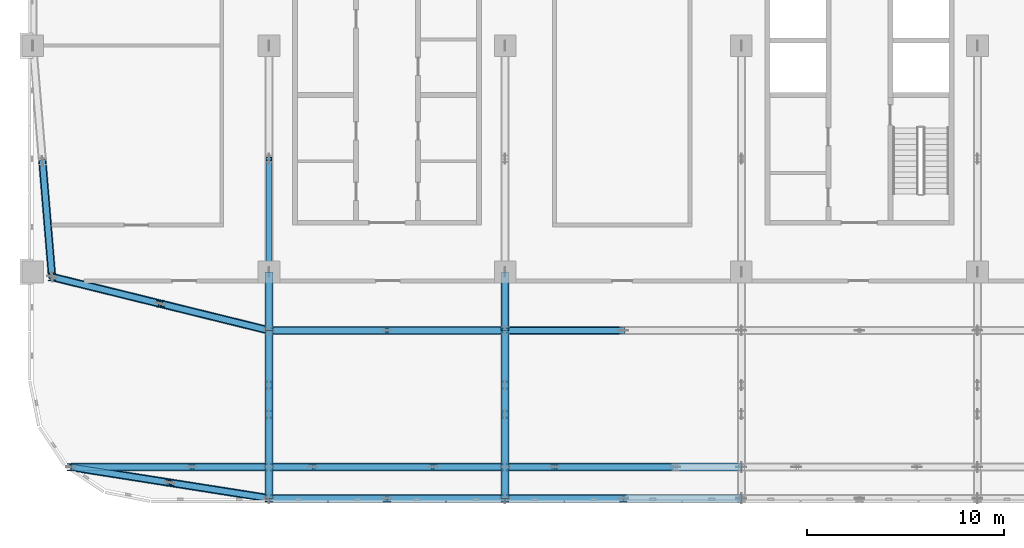
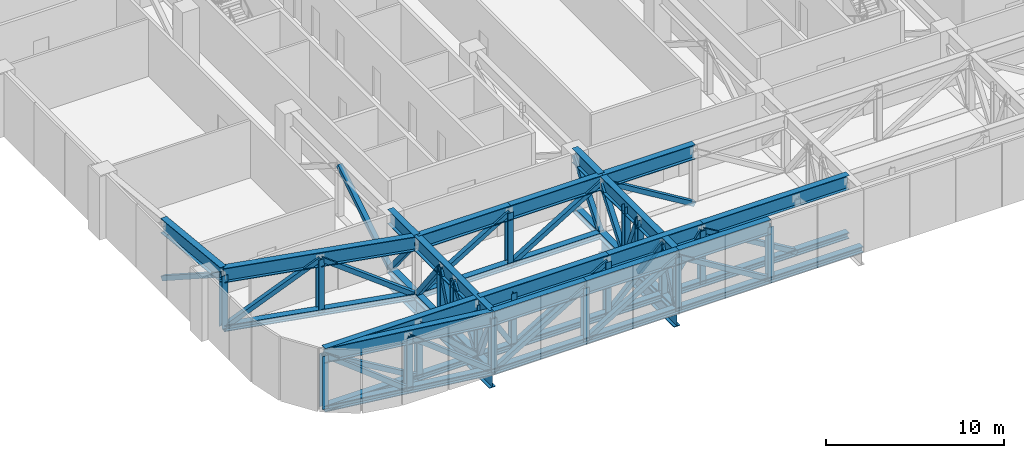
# One storey, part 4 of 28: 77 members, 3 beams.
"""IFC4 building model written with IfcOpenShell, lengths in metres."""

from ifc_helpers import new_model, si_unit, direction, frame, origin, origin_2d, place, context, subcontext, project, spatial, hollow_rectangle, i_section, extrude, material, material_profile, profile_set, type_object, element, save


model = new_model("IFC4")

# Units and contexts
model_context = context("Model", 3, precision=1e-05, world=origin(), true_north=direction((0.0, 1.0)))
body_context = subcontext(model_context, "Body", "Model", "MODEL_VIEW")
ifc_project = project(units=[si_unit("LENGTHUNIT", "METRE"), si_unit("AREAUNIT", "SQUARE_METRE"), si_unit("VOLUMEUNIT", "CUBIC_METRE"), si_unit("PLANEANGLEUNIT", "RADIAN"), si_unit("MASSUNIT", "GRAM", prefix="KILO")], contexts=[model_context])

# Site, building, storey
site_placement = place(None, origin())
site = spatial("IfcSite", under=ifc_project, at=site_placement, CompositionType="ELEMENT")
building_placement = place(site_placement, origin())
building = spatial("IfcBuilding", under=site, at=building_placement, Name="Mahtab Terrace Research Tower", CompositionType="ELEMENT")
storey_placement = place(building_placement, frame((0.0, 0.0, 224.300048828125)))
storey = spatial("IfcBuildingStorey", under=building, at=storey_placement, Name="L54", CompositionType="ELEMENT", Elevation=224.300048828125)

# Members
ifc_material_1 = material(Name="Steel ASTM A500 Gr C", Category="steel")
ifc_material_profile_1 = material_profile(ifc_material_1, hollow_rectangle(XDim=0.3046875, YDim=0.3046875, WallThickness=0.0126953125, at=origin_2d()), Name="HSS12X12X1/2")
ifc_profile_set_1 = profile_set([ifc_material_profile_1], Name="Steel ASTM A500 Gr C")
member_type_1 = type_object("IfcMemberType", Name="HSS 12x12x1/2 brace TD121212", PredefinedType="BRACE", material=ifc_profile_set_1)
member_1_placement = place(storey_placement, frame((-41.510986328125, -5.87890625, -0.18798828125), z_axis=(0.070644222099, -0.847625068445, 0.525871787823), x_axis=(0.996544901991, 0.083055754258, 0.0)))
element("IfcMember", 1, at=member_1_placement, inside=storey, type_object=member_type_1, Name="Transfer truss T6 diagonal 005", PredefinedType="BRACE", context=body_context, shape_type="SweptSolid", body=[
    extrude(hollow_rectangle(XDim=0.3046875, YDim=0.3046875, WallThickness=0.0126953125, at=origin_2d()), origin(), (0.0, 0.0, 1.0), 6.93603515625),
])
member_2_placement = place(storey_placement, frame((-41.02099609375, -11.758056640625, -0.18798828125), z_axis=(0.816785504932, -0.201292081104, 0.540687467043), x_axis=(0.239284885489, 0.970949403201, 0.0)))
element("IfcMember", 2, at=member_2_placement, inside=storey, type_object=member_type_1, Name="Transfer truss T6 diagonal 007", PredefinedType="BRACE", context=body_context, shape_type="SweptSolid", body=[
    extrude(hollow_rectangle(XDim=0.3046875, YDim=0.3046875, WallThickness=0.0126953125, at=origin_2d()), origin(), (0.0, 0.0, 1.0), 6.745849609375),
])
member_3_placement = place(storey_placement, frame((-33.919921875, -21.416015625, -0.18798828125), z_axis=(-0.8598181713, 0.0, 0.510600344989), x_axis=(0.0, -1.0, 0.0)))
element("IfcMember", 3, at=member_3_placement, inside=storey, type_object=member_type_1, Name="Transfer truss T6 diagonal 008", PredefinedType="BRACE", context=body_context, shape_type="SweptSolid", body=[
    extrude(hollow_rectangle(XDim=0.3046875, YDim=0.3046875, WallThickness=0.0126953125, at=origin_2d()), origin(), (0.0, 0.0, 1.0), 7.1435546875),
])
member_4_placement = place(storey_placement, frame((-30.0, -14.472900390625, -0.18798828125), z_axis=(-0.816857471195, 0.201129394626, 0.540639286743), x_axis=(-0.239082692179, -0.970999210247, 0.0)))
element("IfcMember", 4, at=member_4_placement, inside=storey, type_object=member_type_1, Name="Transfer truss T6 diagonal 010", PredefinedType="BRACE", context=body_context, shape_type="SweptSolid", body=[
    extrude(hollow_rectangle(XDim=0.3046875, YDim=0.3046875, WallThickness=0.0126953125, at=origin_2d()), origin(), (0.0, 0.0, 1.0), 6.74658203125),
])
member_5_placement = place(storey_placement, frame((-35.031005859375, -22.2080078125, -0.18798828125), z_axis=(-0.803115323704, 0.126428209351, 0.582255686715), x_axis=(-0.155507156777, -0.987834765632, 0.0)))
element("IfcMember", 5, at=member_5_placement, inside=storey, type_object=member_type_1, Name="Transfer truss T6 diagonal 011", PredefinedType="BRACE", context=body_context, shape_type="SweptSolid", body=[
    extrude(hollow_rectangle(XDim=0.3046875, YDim=0.3046875, WallThickness=0.0126953125, at=origin_2d()), origin(), (0.0, 0.0, 1.0), 6.264404296875),
])
member_6_placement = place(storey_placement, frame((-30.0, -21.416015625, -0.18798828125), z_axis=(-0.732091546272, 0.0, 0.681206259423), x_axis=(0.0, -1.0, 0.0)))
element("IfcMember", 6, at=member_6_placement, inside=storey, type_object=member_type_1, Name="Transfer truss T6 diagonal 012", PredefinedType="BRACE", context=body_context, shape_type="SweptSolid", body=[
    extrude(hollow_rectangle(XDim=0.3046875, YDim=0.3046875, WallThickness=0.0126953125, at=origin_2d()), origin(), (0.0, 0.0, 1.0), 5.3544921875),
])
member_7_placement = place(storey_placement, frame((-30.0, -23.0, -0.18798828125), z_axis=(-0.803115323704, 0.126428209351, 0.582255686715), x_axis=(-0.155507156777, -0.987834765632, 0.0)))
element("IfcMember", 7, at=member_7_placement, inside=storey, type_object=member_type_1, Name="Transfer truss T6 diagonal 013", PredefinedType="BRACE", context=body_context, shape_type="SweptSolid", body=[
    extrude(hollow_rectangle(XDim=0.3046875, YDim=0.3046875, WallThickness=0.0126953125, at=origin_2d()), origin(), (0.0, 0.0, 1.0), 6.264404296875),
])
member_8_placement = place(storey_placement, frame((-30.0, -21.416015625, -0.18798828125), z_axis=(0.0, -0.398330959805, 0.917241760094), x_axis=(1.0, 0.0, 0.0)))
element("IfcMember", 8, at=member_8_placement, inside=storey, type_object=member_type_1, Name="Transfer truss T6 diagonal 014", PredefinedType="BRACE", context=body_context, shape_type="SweptSolid", body=[
    extrude(hollow_rectangle(XDim=0.3046875, YDim=0.3046875, WallThickness=0.0126953125, at=origin_2d()), origin(), (0.0, 0.0, 1.0), 3.9765625),
])
member_9_placement = place(storey_placement, frame((-30.0, -21.416015625, -0.18798828125), z_axis=(0.0, 0.5921000261, 0.805864479359), x_axis=(-1.0, 0.0, 0.0)))
element("IfcMember", 9, at=member_9_placement, inside=storey, type_object=member_type_1, Name="Transfer truss T6 diagonal 015", PredefinedType="BRACE", context=body_context, shape_type="SweptSolid", body=[
    extrude(hollow_rectangle(XDim=0.3046875, YDim=0.3046875, WallThickness=0.0126953125, at=origin_2d()), origin(), (0.0, 0.0, 1.0), 4.526123046875),
])
member_10_placement = place(storey_placement, frame((-27.779052734375, -21.416015625, -0.18798828125), z_axis=(-0.520075711539, 0.0, 0.854120163834), x_axis=(0.0, -1.0, 0.0)))
element("IfcMember", 10, at=member_10_placement, inside=storey, type_object=member_type_1, Name="Transfer truss T6 diagonal 016", PredefinedType="BRACE", context=body_context, shape_type="SweptSolid", body=[
    extrude(hollow_rectangle(XDim=0.3046875, YDim=0.3046875, WallThickness=0.0126953125, at=origin_2d()), origin(), (0.0, 0.0, 1.0), 4.2705078125),
])
member_11_placement = place(storey_placement, frame((-30.0, -18.736083984375, -0.18798828125), z_axis=(0.0, 0.377314608222, 0.926085139943), x_axis=(-1.0, 0.0, 0.0)))
element("IfcMember", 11, at=member_11_placement, inside=storey, type_object=member_type_1, Name="Transfer truss T6 diagonal 017", PredefinedType="BRACE", context=body_context, shape_type="SweptSolid", body=[
    extrude(hollow_rectangle(XDim=0.3046875, YDim=0.3046875, WallThickness=0.0126953125, at=origin_2d()), origin(), (0.0, 0.0, 1.0), 3.9384765625),
])
member_12_placement = place(storey_placement, frame((-30.0, -14.472900390625, -0.18798828125), z_axis=(0.0, -0.605778433587, 0.795633388817), x_axis=(1.0, 0.0, 0.0)))
element("IfcMember", 12, at=member_12_placement, inside=storey, type_object=member_type_1, Name="Transfer truss T6 diagonal 018", PredefinedType="BRACE", context=body_context, shape_type="SweptSolid", body=[
    extrude(hollow_rectangle(XDim=0.3046875, YDim=0.3046875, WallThickness=0.0126953125, at=origin_2d()), origin(), (0.0, 0.0, 1.0), 4.584228515625),
])
member_13_placement = place(storey_placement, frame((-30.0, -14.472900390625, -0.18798828125), z_axis=(0.854496522168, 0.0, 0.519457114306), x_axis=(0.0, 1.0, 0.0)))
element("IfcMember", 13, at=member_13_placement, inside=storey, type_object=member_type_1, Name="Transfer truss T6 diagonal 019", PredefinedType="BRACE", context=body_context, shape_type="SweptSolid", body=[
    extrude(hollow_rectangle(XDim=0.3046875, YDim=0.3046875, WallThickness=0.0126953125, at=origin_2d()), origin(), (0.0, 0.0, 1.0), 7.021728515625),
])
member_14_placement = place(storey_placement, frame((-30.0, -11.5, -0.18798828125), z_axis=(0.0, -0.631787276537, 0.77514181748), x_axis=(1.0, 0.0, 0.0)))
element("IfcMember", 14, at=member_14_placement, inside=storey, type_object=member_type_1, Name="Transfer truss T6 diagonal 020", PredefinedType="BRACE", context=body_context, shape_type="SweptSolid", body=[
    extrude(hollow_rectangle(XDim=0.3046875, YDim=0.3046875, WallThickness=0.0126953125, at=origin_2d()), origin(), (0.0, 0.0, 1.0), 4.70556640625),
])
member_15_placement = place(storey_placement, frame((-30.0, -11.5, -0.18798828125), z_axis=(0.0, 0.844434215401, 0.535659272168), x_axis=(-1.0, 0.0, 0.0)))
element("IfcMember", 15, at=member_15_placement, inside=storey, type_object=member_type_1, Name="Transfer truss T6 diagonal 021", PredefinedType="BRACE", context=body_context, shape_type="SweptSolid", body=[
    extrude(hollow_rectangle(XDim=0.3046875, YDim=0.3046875, WallThickness=0.0126953125, at=origin_2d()), origin(), (0.0, 0.0, 1.0), 6.809326171875),
])
member_16_placement = place(storey_placement, frame((-27.779052734375, -21.416015625, -0.18798828125), z_axis=(0.8598181713, 0.0, 0.510600344989), x_axis=(0.0, 1.0, 0.0)))
element("IfcMember", 16, at=member_16_placement, inside=storey, type_object=member_type_1, Name="Transfer truss T6 diagonal 027", PredefinedType="BRACE", context=body_context, shape_type="SweptSolid", body=[
    extrude(hollow_rectangle(XDim=0.3046875, YDim=0.3046875, WallThickness=0.0126953125, at=origin_2d()), origin(), (0.0, 0.0, 1.0), 7.1435546875),
])
for number, where, z_axis, x_axis, name in (
    (17, (-30.0, -23.0, -0.18798828125), (0.854496522168, 0.0, 0.519457114306), (0.0, 1.0, 0.0), "Transfer truss T6 diagonal 028"),
    (18, (-24.0, -14.472900390625, -0.18798828125), (0.854496522168, 0.0, 0.519457114306), (0.0, 1.0, 0.0), "Transfer truss T6 diagonal 029"),
):
    element("IfcMember", number, at=place(storey_placement, frame(where, z_axis=z_axis, x_axis=x_axis)), inside=storey, type_object=member_type_1, Name=name, PredefinedType="BRACE", context=body_context, shape_type="SweptSolid", body=[
        extrude(hollow_rectangle(XDim=0.3046875, YDim=0.3046875, WallThickness=0.0126953125, at=origin_2d()), origin(), (0.0, 0.0, 1.0), 7.021728515625),
    ])
member_17_placement = place(storey_placement, frame((-21.636962890625, -21.416015625, -0.18798828125), z_axis=(0.706086991338, 0.0, 0.70812510241), x_axis=(0.0, 1.0, 0.0)))
element("IfcMember", 19, at=member_17_placement, inside=storey, type_object=member_type_1, Name="Transfer truss T6 diagonal 031", PredefinedType="BRACE", context=body_context, shape_type="SweptSolid", body=[
    extrude(hollow_rectangle(XDim=0.3046875, YDim=0.3046875, WallThickness=0.0126953125, at=origin_2d()), origin(), (0.0, 0.0, 1.0), 5.15087890625),
])
member_18_placement = place(storey_placement, frame((-24.0, -23.0, -0.18798828125), z_axis=(0.854496522168, 0.0, 0.519457114306), x_axis=(0.0, 1.0, 0.0)))
element("IfcMember", 20, at=member_18_placement, inside=storey, type_object=member_type_1, Name="Transfer truss T6 diagonal 032", PredefinedType="BRACE", context=body_context, shape_type="SweptSolid", body=[
    extrude(hollow_rectangle(XDim=0.3046875, YDim=0.3046875, WallThickness=0.0126953125, at=origin_2d()), origin(), (0.0, 0.0, 1.0), 7.021728515625),
])
member_19_placement = place(storey_placement, frame((-18.0, -23.0, -0.18798828125), z_axis=(0.0, 0.398330959805, 0.917241760094), x_axis=(-1.0, 0.0, 0.0)))
element("IfcMember", 21, at=member_19_placement, inside=storey, type_object=member_type_1, Name="Transfer truss T6 diagonal 033", PredefinedType="BRACE", context=body_context, shape_type="SweptSolid", body=[
    extrude(hollow_rectangle(XDim=0.3046875, YDim=0.3046875, WallThickness=0.0126953125, at=origin_2d()), origin(), (0.0, 0.0, 1.0), 3.9765625),
])
member_20_placement = place(storey_placement, frame((-18.0, -18.736083984375, -0.18798828125), z_axis=(0.0, -0.5921000261, 0.805864479359), x_axis=(1.0, 0.0, 0.0)))
element("IfcMember", 22, at=member_20_placement, inside=storey, type_object=member_type_1, Name="Transfer truss T6 diagonal 034", PredefinedType="BRACE", context=body_context, shape_type="SweptSolid", body=[
    extrude(hollow_rectangle(XDim=0.3046875, YDim=0.3046875, WallThickness=0.0126953125, at=origin_2d()), origin(), (0.0, 0.0, 1.0), 4.526123046875),
])
member_21_placement = place(storey_placement, frame((-18.0, -21.416015625, -0.18798828125), z_axis=(0.565957242152, 0.0, 0.824434594165), x_axis=(0.0, 1.0, 0.0)))
element("IfcMember", 23, at=member_21_placement, inside=storey, type_object=member_type_1, Name="Transfer truss T6 diagonal 035", PredefinedType="BRACE", context=body_context, shape_type="SweptSolid", body=[
    extrude(hollow_rectangle(XDim=0.3046875, YDim=0.3046875, WallThickness=0.0126953125, at=origin_2d()), origin(), (0.0, 0.0, 1.0), 4.42431640625),
])
member_22_placement = place(storey_placement, frame((-18.0, -17.25, -0.18798828125), z_axis=(0.0, -0.377314608222, 0.926085139943), x_axis=(1.0, 0.0, 0.0)))
element("IfcMember", 24, at=member_22_placement, inside=storey, type_object=member_type_1, Name="Transfer truss T6 diagonal 036", PredefinedType="BRACE", context=body_context, shape_type="SweptSolid", body=[
    extrude(hollow_rectangle(XDim=0.3046875, YDim=0.3046875, WallThickness=0.0126953125, at=origin_2d()), origin(), (0.0, 0.0, 1.0), 3.9384765625),
])
member_23_placement = place(storey_placement, frame((-18.0, -17.25, -0.18798828125), z_axis=(0.0, 0.605778433587, 0.795633388817), x_axis=(-1.0, 0.0, 0.0)))
element("IfcMember", 25, at=member_23_placement, inside=storey, type_object=member_type_1, Name="Transfer truss T6 diagonal 037", PredefinedType="BRACE", context=body_context, shape_type="SweptSolid", body=[
    extrude(hollow_rectangle(XDim=0.3046875, YDim=0.3046875, WallThickness=0.0126953125, at=origin_2d()), origin(), (0.0, 0.0, 1.0), 4.584228515625),
])
member_24_placement = place(storey_placement, frame((-12.0, -14.472900390625, -0.18798828125), z_axis=(-0.854496522168, 0.0, 0.519457114306), x_axis=(0.0, -1.0, 0.0)))
element("IfcMember", 26, at=member_24_placement, inside=storey, type_object=member_type_1, Name="Transfer truss T6 diagonal 038", PredefinedType="BRACE", context=body_context, shape_type="SweptSolid", body=[
    extrude(hollow_rectangle(XDim=0.3046875, YDim=0.3046875, WallThickness=0.0126953125, at=origin_2d()), origin(), (0.0, 0.0, 1.0), 7.021728515625),
])
member_25_placement = place(storey_placement, frame((-18.0, -14.472900390625, -0.18798828125), z_axis=(0.0, 0.631787276537, 0.77514181748), x_axis=(-1.0, 0.0, 0.0)))
element("IfcMember", 27, at=member_25_placement, inside=storey, type_object=member_type_1, Name="Transfer truss T6 diagonal 039", PredefinedType="BRACE", context=body_context, shape_type="SweptSolid", body=[
    extrude(hollow_rectangle(XDim=0.3046875, YDim=0.3046875, WallThickness=0.0126953125, at=origin_2d()), origin(), (0.0, 0.0, 1.0), 4.70556640625),
])
member_26_placement = place(storey_placement, frame((-9.35400390625, -21.416015625, -0.18798828125), z_axis=(-0.8598181713, 0.0, 0.510600344989), x_axis=(0.0, -1.0, 0.0)))
element("IfcMember", 28, at=member_26_placement, inside=storey, type_object=member_type_1, Name="Transfer truss T6 diagonal 046", PredefinedType="BRACE", context=body_context, shape_type="SweptSolid", body=[
    extrude(hollow_rectangle(XDim=0.3046875, YDim=0.3046875, WallThickness=0.0126953125, at=origin_2d()), origin(), (0.0, 0.0, 1.0), 7.1435546875),
])
member_27_placement = place(storey_placement, frame((-12.0, -23.0, -0.18798828125), z_axis=(-0.854496522168, 0.0, 0.519457114306), x_axis=(0.0, -1.0, 0.0)))
element("IfcMember", 29, at=member_27_placement, inside=storey, type_object=member_type_1, Name="Transfer truss T6 diagonal 047", PredefinedType="BRACE", context=body_context, shape_type="SweptSolid", body=[
    extrude(hollow_rectangle(XDim=0.3046875, YDim=0.3046875, WallThickness=0.0126953125, at=origin_2d()), origin(), (0.0, 0.0, 1.0), 7.021728515625),
])
ifc_material_2 = material(Name="Steel ASTM A992 Gr 50", Category="steel")
ifc_material_profile_2 = material_profile(ifc_material_2, i_section(OverallWidth=0.373291015625, OverallDepth=0.373291015625, WebThickness=0.016357421875, FlangeThickness=0.026123046875, at=origin_2d()), Name="W14X132")
ifc_profile_set_2 = profile_set([ifc_material_profile_2], Name="Steel ASTM A992 Gr 50")
member_type_2 = type_object("IfcMemberType", Name="W14x132 post TP14132", PredefinedType="POST", material=ifc_profile_set_2)
for number, where, z_axis, x_axis, name in (
    (30, (-41.02001953125, -11.760009765625, -0.18798828125), (0.0, 0.0, 1.0), (1.0, 0.0, 0.0), "Transfer truss T6 post 007"),
    (31, (-40.06005859375, -21.419921875, -0.18798828125), (0.0, 0.0, 1.0), (1.0, 0.0, 0.0), "Transfer truss T6 post 008"),
    (32, (-35.510009765625, -13.1201171875, -0.18798828125), (0.0, 0.0, 1.0), (1.0, 0.0, 0.0), "Transfer truss T6 post 010"),
    (33, (-35.030029296875, -22.2099609375, -0.18798828125), (0.0, 0.0, 1.0), (1.0, 0.0, 0.0), "Transfer truss T6 post 011"),
    (34, (-33.919921875, -21.419921875, -0.18798828125), (0.0, 0.0, 1.0), (1.0, 0.0, 0.0), "Transfer truss T6 post 012"),
    (35, (-30.0, -23.0, -0.18798828125), (0.0, 0.0, 1.0), (1.0, 0.0, 0.0), "Transfer truss T6 post 013"),
    (36, (-30.0, -21.419921875, -0.18798828125), (0.0, 0.0, 1.0), (1.0, 0.0, 0.0), "Transfer truss T6 post 014"),
    (37, (-30.0, -18.739990234375, -0.18798828125), (0.0, 0.0, 1.0), (1.0, 0.0, 0.0), "Transfer truss T6 post 015"),
    (38, (-30.0, -17.25, -0.18798828125), (0.0, 0.0, 1.0), (1.0, 0.0, 0.0), "Transfer truss T6 post 016"),
    (39, (-27.780029296875, -21.419921875, -0.18798828125), (0.0, 0.0, 1.0), (1.0, 0.0, 0.0), "Transfer truss T6 post 025"),
    (40, (-24.0, -23.0, -0.18798828125), (0.0, 0.0, 1.0), (1.0, 0.0, 0.0), "Transfer truss T6 post 026"),
    (41, (-24.0, -14.469970703125, -0.18798828125), (0.0, 0.0, 1.0), (1.0, 0.0, 0.0), "Transfer truss T6 post 027"),
    (42, (-21.639892578125, -21.419921875, -0.18798828125), (0.0, 0.0, 1.0), (1.0, 0.0, 0.0), "Transfer truss T6 post 029"),
    (43, (-18.0, -23.0, -0.18798828125), (0.0, 0.0, 1.0), (1.0, 0.0, 0.0), "Transfer truss T6 post 030"),
    (44, (-18.0, -21.419921875, -0.18798828125), (0.0, 0.0, 1.0), (1.0, 0.0, 0.0), "Transfer truss T6 post 031"),
    (45, (-18.0, -18.739990234375, -0.18798828125), (0.0, 0.0, 1.0), (1.0, 0.0, 0.0), "Transfer truss T6 post 032"),
    (46, (-18.0, -17.25, -0.18798828125), (0.0, 0.0, 1.0), (1.0, 0.0, 0.0), "Transfer truss T6 post 033"),
    (47, (-15.5, -21.419921875, -0.18798828125), (0.0, 0.0, 1.0), (1.0, 0.0, 0.0), "Transfer truss T6 post 042"),
    (48, (-12.0, -23.0, -0.18798828125), (0.0, 0.0, 1.0), (1.0, 0.0, 0.0), "Transfer truss T6 post 043"),
):
    element("IfcMember", number, at=place(storey_placement, frame(where, z_axis=z_axis, x_axis=x_axis)), inside=storey, type_object=member_type_2, Name=name, PredefinedType="POST", context=body_context, shape_type="SweptSolid", body=[
        extrude(i_section(OverallWidth=0.373291015625, OverallDepth=0.373291015625, WebThickness=0.016357421875, FlangeThickness=0.026123046875, at=origin_2d()), origin(), (0.0, 0.0, 1.0), 3.6474609375),
    ])
ifc_material_profile_3 = material_profile(ifc_material_2, i_section(OverallWidth=0.408935546875, OverallDepth=0.42431640625, WebThickness=0.03271484375, FlangeThickness=0.052490234375, at=origin_2d()), Name="W14X283")
ifc_profile_set_3 = profile_set([ifc_material_profile_3], Name="Steel ASTM A992 Gr 50")
member_type_3 = type_object("IfcMemberType", Name="W14x283 chord TC14283", PredefinedType="CHORD", material=ifc_profile_set_3)
member_28_placement = place(storey_placement, frame((-41.02099609375, -11.758056640625, -0.18798828125), z_axis=(0.970974313555, -0.239183783765, 0.0), x_axis=(0.239183783765, 0.970974313555, 0.0)))
element("IfcMember", 49, at=member_28_placement, inside=storey, type_object=member_type_3, Name="Transfer truss T6 bottom chord 006", PredefinedType="CHORD", context=body_context, shape_type="SweptSolid", body=[
    extrude(i_section(OverallWidth=0.408935546875, OverallDepth=0.42431640625, WebThickness=0.03271484375, FlangeThickness=0.052490234375, at=origin_2d()), origin(), (0.0, 0.0, 1.0), 11.350341796875),
])
member_29_placement = place(storey_placement, frame((-40.06201171875, -21.416015625, -0.18798828125), z_axis=(1.0, 0.0, 0.0), x_axis=(0.0, 1.0, 0.0)))
element("IfcMember", 50, at=member_29_placement, inside=storey, type_object=member_type_3, Name="Transfer truss T6 bottom chord 007", PredefinedType="CHORD", context=body_context, shape_type="SweptSolid", body=[
    extrude(i_section(OverallWidth=0.408935546875, OverallDepth=0.42431640625, WebThickness=0.03271484375, FlangeThickness=0.052490234375, at=origin_2d()), origin(), (0.0, 0.0, 1.0), 10.06201171875),
])
for number, where, z_axis, x_axis, name in (
    (51, (-30.0, -21.416015625, -0.18798828125), (1.0, 0.0, 0.0), (0.0, 1.0, 0.0), "Transfer truss T6 bottom chord 008"),
    (52, (-18.0, -21.416015625, -0.18798828125), (1.0, 0.0, 0.0), (0.0, 1.0, 0.0), "Transfer truss T6 bottom chord 009"),
):
    element("IfcMember", number, at=place(storey_placement, frame(where, z_axis=z_axis, x_axis=x_axis)), inside=storey, type_object=member_type_3, Name=name, PredefinedType="CHORD", context=body_context, shape_type="SweptSolid", body=[
        extrude(i_section(OverallWidth=0.408935546875, OverallDepth=0.42431640625, WebThickness=0.03271484375, FlangeThickness=0.052490234375, at=origin_2d()), origin(), (0.0, 0.0, 1.0), 12.0),
    ])
member_30_placement = place(storey_placement, frame((-30.0, -23.0, -0.18798828125), z_axis=(-0.987834765632, 0.155507156777, 0.0), x_axis=(-0.155507156777, -0.987834765632, 0.0)))
element("IfcMember", 53, at=member_30_placement, inside=storey, type_object=member_type_3, Name="Transfer truss T6 bottom chord 015", PredefinedType="CHORD", context=body_context, shape_type="SweptSolid", body=[
    extrude(i_section(OverallWidth=0.408935546875, OverallDepth=0.42431640625, WebThickness=0.03271484375, FlangeThickness=0.052490234375, at=origin_2d()), origin(), (0.0, 0.0, 1.0), 10.18603515625),
])
member_31_placement = place(storey_placement, frame((-30.0, -23.0, -0.18798828125), z_axis=(0.0, 1.0, 0.0), x_axis=(-1.0, 0.0, 0.0)))
element("IfcMember", 54, at=member_31_placement, inside=storey, type_object=member_type_3, Name="Transfer truss T6 bottom chord 016", PredefinedType="CHORD", context=body_context, shape_type="SweptSolid", body=[
    extrude(i_section(OverallWidth=0.408935546875, OverallDepth=0.42431640625, WebThickness=0.03271484375, FlangeThickness=0.052490234375, at=origin_2d()), origin(), (0.0, 0.0, 1.0), 8.527099609375),
])
member_32_placement = place(storey_placement, frame((-30.0, -14.472900390625, -0.18798828125), z_axis=(0.0, 1.0, 0.0), x_axis=(-1.0, 0.0, 0.0)))
element("IfcMember", 55, at=member_32_placement, inside=storey, type_object=member_type_3, Name="Transfer truss T6 bottom chord 017", PredefinedType="CHORD", context=body_context, shape_type="SweptSolid", body=[
    extrude(i_section(OverallWidth=0.408935546875, OverallDepth=0.42431640625, WebThickness=0.03271484375, FlangeThickness=0.052490234375, at=origin_2d()), origin(), (0.0, 0.0, 1.0), 2.972900390625),
])
for number, where, z_axis, x_axis, name in (
    (56, (-6.0, -23.0, -0.18798828125), (-1.0, 0.0, 0.0), (0.0, -1.0, 0.0), "Transfer truss T6 bottom chord 023"),
    (57, (-18.0, -23.0, -0.18798828125), (-1.0, 0.0, 0.0), (0.0, -1.0, 0.0), "Transfer truss T6 bottom chord 024"),
    (58, (-30.0, -14.472900390625, -0.18798828125), (1.0, 0.0, 0.0), (0.0, 1.0, 0.0), "Transfer truss T6 bottom chord 025"),
):
    element("IfcMember", number, at=place(storey_placement, frame(where, z_axis=z_axis, x_axis=x_axis)), inside=storey, type_object=member_type_3, Name=name, PredefinedType="CHORD", context=body_context, shape_type="SweptSolid", body=[
        extrude(i_section(OverallWidth=0.408935546875, OverallDepth=0.42431640625, WebThickness=0.03271484375, FlangeThickness=0.052490234375, at=origin_2d()), origin(), (0.0, 0.0, 1.0), 12.0),
    ])
member_33_placement = place(storey_placement, frame((-18.0, -23.0, -0.18798828125), z_axis=(0.0, 1.0, 0.0), x_axis=(-1.0, 0.0, 0.0)))
element("IfcMember", 59, at=member_33_placement, inside=storey, type_object=member_type_3, Name="Transfer truss T6 bottom chord 039", PredefinedType="CHORD", context=body_context, shape_type="SweptSolid", body=[
    extrude(i_section(OverallWidth=0.408935546875, OverallDepth=0.42431640625, WebThickness=0.03271484375, FlangeThickness=0.052490234375, at=origin_2d()), origin(), (0.0, 0.0, 1.0), 8.527099609375),
])
member_34_placement = place(storey_placement, frame((-18.0, -14.472900390625, -0.18798828125), z_axis=(0.0, 1.0, 0.0), x_axis=(-1.0, 0.0, 0.0)))
element("IfcMember", 60, at=member_34_placement, inside=storey, type_object=member_type_3, Name="Transfer truss T6 bottom chord 040", PredefinedType="CHORD", context=body_context, shape_type="SweptSolid", body=[
    extrude(i_section(OverallWidth=0.408935546875, OverallDepth=0.42431640625, WebThickness=0.03271484375, FlangeThickness=0.052490234375, at=origin_2d()), origin(), (0.0, 0.0, 1.0), 2.972900390625),
])
ifc_material_profile_4 = material_profile(ifc_material_2, i_section(OverallWidth=0.4013671875, OverallDepth=1.000732421875, WebThickness=0.01904296875, FlangeThickness=0.0361328125, at=origin_2d()), Name="W40X249")
ifc_profile_set_4 = profile_set([ifc_material_profile_4], Name="Steel ASTM A992 Gr 50")
member_type_4 = type_object("IfcMemberType", Name="W40x249 chord TT40249", PredefinedType="CHORD", material=ifc_profile_set_4)
member_35_placement = place(storey_placement, frame((-41.510986328125, -5.87890625, 3.45947265625), z_axis=(0.083055754258, -0.996544901991, 0.0), x_axis=(0.996544901991, 0.083055754258, 0.0)))
element("IfcMember", 61, at=member_35_placement, inside=storey, type_object=member_type_4, Name="Transfer truss T6 top chord 002", PredefinedType="CHORD", context=body_context, shape_type="SweptSolid", body=[
    extrude(i_section(OverallWidth=0.4013671875, OverallDepth=1.000732421875, WebThickness=0.01904296875, FlangeThickness=0.0361328125, at=origin_2d()), origin(), (0.0, 0.0, 1.0), 5.8994140625),
])
member_36_placement = place(storey_placement, frame((-41.02099609375, -11.758056640625, 3.45947265625), z_axis=(0.970974313555, -0.239183783765, 0.0), x_axis=(0.239183783765, 0.970974313555, 0.0)))
element("IfcMember", 62, at=member_36_placement, inside=storey, type_object=member_type_4, Name="Transfer truss T6 top chord 008", PredefinedType="CHORD", context=body_context, shape_type="SweptSolid", body=[
    extrude(i_section(OverallWidth=0.4013671875, OverallDepth=1.000732421875, WebThickness=0.01904296875, FlangeThickness=0.0361328125, at=origin_2d()), origin(), (0.0, 0.0, 1.0), 11.350341796875),
])
member_37_placement = place(storey_placement, frame((-40.06201171875, -21.416015625, 3.45947265625), z_axis=(1.0, 0.0, 0.0), x_axis=(0.0, 1.0, 0.0)))
element("IfcMember", 63, at=member_37_placement, inside=storey, type_object=member_type_4, Name="Transfer truss T6 top chord 009", PredefinedType="CHORD", context=body_context, shape_type="SweptSolid", body=[
    extrude(i_section(OverallWidth=0.4013671875, OverallDepth=1.000732421875, WebThickness=0.01904296875, FlangeThickness=0.0361328125, at=origin_2d()), origin(), (0.0, 0.0, 1.0), 10.06201171875),
])
member_38_placement = place(storey_placement, frame((-30.0, -21.416015625, 3.45947265625), z_axis=(1.0, 0.0, 0.0), x_axis=(0.0, 1.0, 0.0)))
element("IfcMember", 64, at=member_38_placement, inside=storey, type_object=member_type_4, Name="Transfer truss T6 top chord 010", PredefinedType="CHORD", context=body_context, shape_type="SweptSolid", body=[
    extrude(i_section(OverallWidth=0.4013671875, OverallDepth=1.000732421875, WebThickness=0.01904296875, FlangeThickness=0.0361328125, at=origin_2d()), origin(), (0.0, 0.0, 1.0), 8.363037109375),
])
member_39_placement = place(storey_placement, frame((-21.636962890625, -21.416015625, 3.45947265625), z_axis=(1.0, 0.0, 0.0), x_axis=(0.0, 1.0, 0.0)))
element("IfcMember", 65, at=member_39_placement, inside=storey, type_object=member_type_4, Name="Transfer truss T6 top chord 011", PredefinedType="CHORD", context=body_context, shape_type="SweptSolid", body=[
    extrude(i_section(OverallWidth=0.4013671875, OverallDepth=1.000732421875, WebThickness=0.01904296875, FlangeThickness=0.0361328125, at=origin_2d()), origin(), (0.0, 0.0, 1.0), 6.140869140625),
])
member_40_placement = place(storey_placement, frame((-15.49609375, -21.416015625, 3.45947265625), z_axis=(1.0, 0.0, 0.0), x_axis=(0.0, 1.0, 0.0)))
element("IfcMember", 66, at=member_40_placement, inside=storey, type_object=member_type_4, Name="Transfer truss T6 top chord 012", PredefinedType="CHORD", context=body_context, shape_type="SweptSolid", body=[
    extrude(i_section(OverallWidth=0.4013671875, OverallDepth=1.000732421875, WebThickness=0.01904296875, FlangeThickness=0.0361328125, at=origin_2d()), origin(), (0.0, 0.0, 1.0), 9.49609375),
])
member_41_placement = place(storey_placement, frame((-30.0, -23.0, 3.45947265625), z_axis=(-0.987834765632, 0.155507156777, 0.0), x_axis=(-0.155507156777, -0.987834765632, 0.0)))
element("IfcMember", 67, at=member_41_placement, inside=storey, type_object=member_type_4, Name="Transfer truss T6 top chord 020", PredefinedType="CHORD", context=body_context, shape_type="SweptSolid", body=[
    extrude(i_section(OverallWidth=0.4013671875, OverallDepth=1.000732421875, WebThickness=0.01904296875, FlangeThickness=0.0361328125, at=origin_2d()), origin(), (0.0, 0.0, 1.0), 10.18603515625),
])
member_42_placement = place(storey_placement, frame((-30.0, -23.0, 3.45947265625), z_axis=(0.0, 1.0, 0.0), x_axis=(-1.0, 0.0, 0.0)))
element("IfcMember", 68, at=member_42_placement, inside=storey, type_object=member_type_4, Name="Transfer truss T6 top chord 021", PredefinedType="CHORD", context=body_context, shape_type="SweptSolid", body=[
    extrude(i_section(OverallWidth=0.4013671875, OverallDepth=1.000732421875, WebThickness=0.01904296875, FlangeThickness=0.0361328125, at=origin_2d()), origin(), (0.0, 0.0, 1.0), 8.527099609375),
])
member_43_placement = place(storey_placement, frame((-30.0, -14.472900390625, 3.45947265625), z_axis=(0.0, 1.0, 0.0), x_axis=(-1.0, 0.0, 0.0)))
element("IfcMember", 69, at=member_43_placement, inside=storey, type_object=member_type_4, Name="Transfer truss T6 top chord 022", PredefinedType="CHORD", context=body_context, shape_type="SweptSolid", body=[
    extrude(i_section(OverallWidth=0.4013671875, OverallDepth=1.000732421875, WebThickness=0.01904296875, FlangeThickness=0.0361328125, at=origin_2d()), origin(), (0.0, 0.0, 1.0), 2.972900390625),
])
for number, where, z_axis, x_axis, name in (
    (70, (-12.0, -23.0, 3.45947265625), (-1.0, 0.0, 0.0), (0.0, -1.0, 0.0), "Transfer truss T6 top chord 033"),
    (71, (-18.0, -23.0, 3.45947265625), (-1.0, 0.0, 0.0), (0.0, -1.0, 0.0), "Transfer truss T6 top chord 034"),
    (72, (-24.0, -23.0, 3.45947265625), (-1.0, 0.0, 0.0), (0.0, -1.0, 0.0), "Transfer truss T6 top chord 035"),
    (73, (-30.0, -14.472900390625, 3.45947265625), (1.0, 0.0, 0.0), (0.0, 1.0, 0.0), "Transfer truss T6 top chord 036"),
    (74, (-24.0, -14.472900390625, 3.45947265625), (1.0, 0.0, 0.0), (0.0, 1.0, 0.0), "Transfer truss T6 top chord 037"),
    (75, (-18.0, -14.472900390625, 3.45947265625), (1.0, 0.0, 0.0), (0.0, 1.0, 0.0), "Transfer truss T6 top chord 038"),
):
    element("IfcMember", number, at=place(storey_placement, frame(where, z_axis=z_axis, x_axis=x_axis)), inside=storey, type_object=member_type_4, Name=name, PredefinedType="CHORD", context=body_context, shape_type="SweptSolid", body=[
        extrude(i_section(OverallWidth=0.4013671875, OverallDepth=1.000732421875, WebThickness=0.01904296875, FlangeThickness=0.0361328125, at=origin_2d()), origin(), (0.0, 0.0, 1.0), 6.0),
    ])
member_44_placement = place(storey_placement, frame((-18.0, -23.0, 3.45947265625), z_axis=(0.0, 1.0, 0.0), x_axis=(-1.0, 0.0, 0.0)))
element("IfcMember", 76, at=member_44_placement, inside=storey, type_object=member_type_4, Name="Transfer truss T6 top chord 062", PredefinedType="CHORD", context=body_context, shape_type="SweptSolid", body=[
    extrude(i_section(OverallWidth=0.4013671875, OverallDepth=1.000732421875, WebThickness=0.01904296875, FlangeThickness=0.0361328125, at=origin_2d()), origin(), (0.0, 0.0, 1.0), 8.527099609375),
])
member_45_placement = place(storey_placement, frame((-18.0, -14.472900390625, 3.45947265625), z_axis=(0.0, 1.0, 0.0), x_axis=(-1.0, 0.0, 0.0)))
element("IfcMember", 77, at=member_45_placement, inside=storey, type_object=member_type_4, Name="Transfer truss T6 top chord 063", PredefinedType="CHORD", context=body_context, shape_type="SweptSolid", body=[
    extrude(i_section(OverallWidth=0.4013671875, OverallDepth=1.000732421875, WebThickness=0.01904296875, FlangeThickness=0.0361328125, at=origin_2d()), origin(), (0.0, 0.0, 1.0), 2.972900390625),
])

# Beams
ifc_material_profile_5 = material_profile(ifc_material_2, i_section(OverallWidth=0.4013671875, OverallDepth=1.000732421875, WebThickness=0.01904296875, FlangeThickness=0.0361328125, at=origin_2d()), Name="W40X249")
ifc_profile_set_5 = profile_set([ifc_material_profile_5], Name="Steel ASTM A992 Gr 50")
beam_type = type_object("IfcBeamType", Name="W40x249 transfer girder TG40249", PredefinedType="BEAM", material=ifc_profile_set_5)
beam_1_placement = place(storey_placement, frame((-30.0, -23.0, -0.8984375), z_axis=(0.0, 1.0, 0.0), x_axis=(-1.0, 0.0, 0.0)))
element("IfcBeam", 78, at=beam_1_placement, inside=storey, type_object=beam_type, Name="Transfer girder T6 15", PredefinedType="BEAM", context=body_context, shape_type="SweptSolid", body=[
    extrude(i_section(OverallWidth=0.4013671875, OverallDepth=1.000732421875, WebThickness=0.01904296875, FlangeThickness=0.0361328125, at=origin_2d()), origin(), (0.0, 0.0, 1.0), 8.527099609375),
])
beam_2_placement = place(storey_placement, frame((-30.0, -14.472900390625, -0.8984375), z_axis=(0.0, 1.0, 0.0), x_axis=(-1.0, 0.0, 0.0)))
element("IfcBeam", 79, at=beam_2_placement, inside=storey, type_object=beam_type, Name="Transfer girder T6 16", PredefinedType="BEAM", context=body_context, shape_type="SweptSolid", body=[
    extrude(i_section(OverallWidth=0.4013671875, OverallDepth=1.000732421875, WebThickness=0.01904296875, FlangeThickness=0.0361328125, at=origin_2d()), origin(), (0.0, 0.0, 1.0), 2.972900390625),
])
beam_3_placement = place(storey_placement, frame((-18.0, -23.0, -0.8984375), z_axis=(0.0, 1.0, 0.0), x_axis=(-1.0, 0.0, 0.0)))
element("IfcBeam", 80, at=beam_3_placement, inside=storey, type_object=beam_type, Name="Transfer girder T6 17", PredefinedType="BEAM", context=body_context, shape_type="SweptSolid", body=[
    extrude(i_section(OverallWidth=0.4013671875, OverallDepth=1.000732421875, WebThickness=0.01904296875, FlangeThickness=0.0361328125, at=origin_2d()), origin(), (0.0, 0.0, 1.0), 8.527099609375),
])

save(model, "model.ifc")
